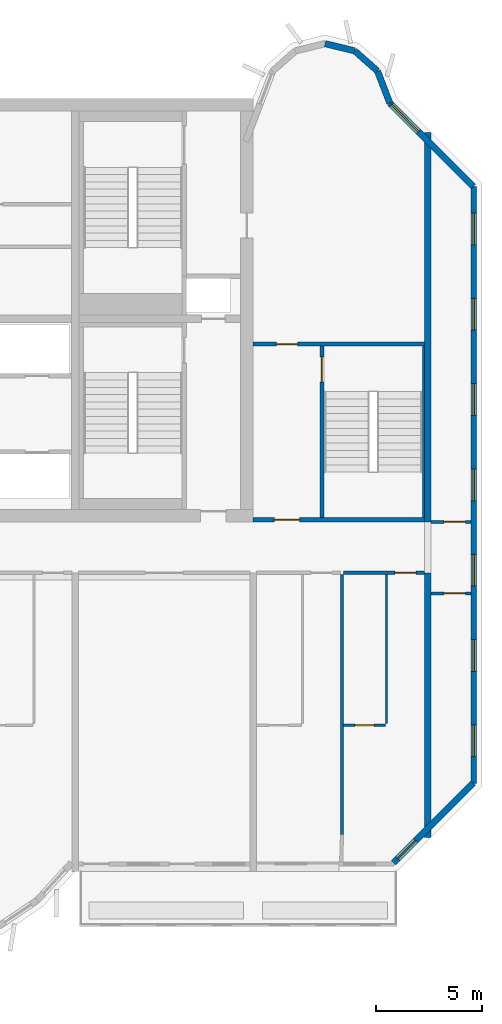
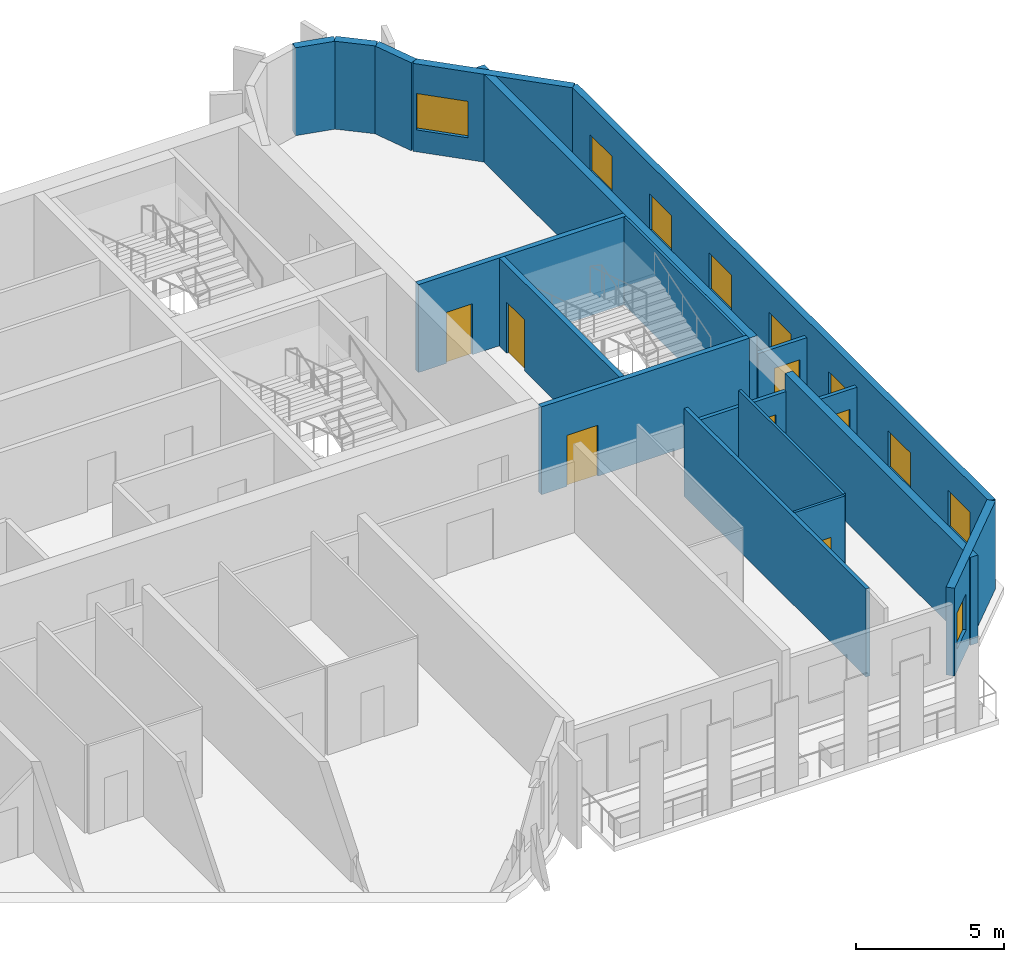
# One storey, part 8 of 11: 18 walls, 9 windows, 7 doors, 16 openings.
"""IFC4 building model written with IfcOpenShell, lengths in metres."""

from ifc_helpers import new_model, si_unit, direction, frame, frame_2d, origin, place, context, subcontext, project, spatial, rectangle, extrude, source, transform, mapped, material, layer, layer_set, type_object, element, fill, save


model = new_model("IFC4")

# Units and contexts
model_context = context("Model", 3, precision=1e-05, world=origin(), true_north=direction((0.0, 1.0)))
body_context = subcontext(model_context, "Body", "Model", "MODEL_VIEW")
ifc_project = project(units=[si_unit("LENGTHUNIT", "METRE"), si_unit("AREAUNIT", "SQUARE_METRE"), si_unit("VOLUMEUNIT", "CUBIC_METRE"), si_unit("PLANEANGLEUNIT", "RADIAN"), si_unit("MASSUNIT", "GRAM", prefix="KILO")], contexts=[model_context])

# Site, building, storey
site_placement = place(None, origin())
site = spatial("IfcSite", under=ifc_project, at=site_placement, CompositionType="ELEMENT")
building_placement = place(site_placement, origin())
building = spatial("IfcBuilding", under=site, at=building_placement, Name="Vanashikhar Sky Hotel", CompositionType="ELEMENT")
storey_placement = place(building_placement, frame((0.0, 0.0, 233.5)))
storey = spatial("IfcBuildingStorey", under=building, at=storey_placement, Name="L56", CompositionType="ELEMENT", Elevation=233.5)

# Walls
ifc_material_1 = material(Name="Concrete M60", Category="concrete")
ifc_layer_1 = layer(ifc_material_1, 0.300048828125)
ifc_layer_set_1 = layer_set([ifc_layer_1], Name="RC shear wall 300 Concrete M60")
wall_type_1 = type_object("IfcWallType", Name="RC shear wall 300 Concrete M60", PredefinedType="SHEAR", material=ifc_layer_set_1)
shared_shape_1 = source(origin(), body_context, "Body", "SweptSolid", [
    extrude(rectangle(XDim=12.5, YDim=0.300048828125, at=frame_2d((6.25, 0.0))), origin(), (0.0, 0.0, 1.0), 3.6201171875),
])
wall_1_placement = place(storey_placement, frame((83.85009765625, 7.10009765625, 0.0), z_axis=(0.0, 0.0, 1.0), x_axis=(0.0, 1.0, 0.0)))
element("IfcWall", 1, at=wall_1_placement, inside=storey, type_object=wall_type_1, Name="CW-L56-XW11-1", PredefinedType="SHEAR", context=body_context, shape_type="MappedRepresentation", body=[
    mapped(shared_shape_1, transform((0.0, 0.0, 0.0), scale=1.0)),
])
shared_shape_2 = source(origin(), body_context, "Body", "SweptSolid", [
    extrude(rectangle(XDim=18.39990234375, YDim=0.300048828125, at=frame_2d((9.199951171875, 0.0))), origin(), (0.0, 0.0, 1.0), 3.6201171875),
])
wall_2_placement = place(storey_placement, frame((83.85009765625, 22.0, 0.0), z_axis=(0.0, 0.0, 1.0), x_axis=(0.0, 1.0, 0.0)))
element("IfcWall", 2, at=wall_2_placement, inside=storey, type_object=wall_type_1, Name="CW-L56-XW11-2", PredefinedType="SHEAR", context=body_context, shape_type="MappedRepresentation", body=[
    mapped(shared_shape_2, transform((0.0, 0.0, 0.0), scale=1.0)),
])

# Wall, opening, window
ifc_material_2 = material(Name="Concrete M50", Category="concrete")
ifc_layer_2 = layer(ifc_material_2, 0.300048828125)
ifc_layer_set_2 = layer_set([ifc_layer_2], Name="Lobe wall 300")
wall_type_2 = type_object("IfcWallType", Name="Lobe wall 300", PredefinedType="SOLIDWALL", material=ifc_layer_set_2)
shared_shape_3 = source(origin(), body_context, "Body", "SweptSolid", [
    extrude(rectangle(XDim=5.32568359375, YDim=0.300048828125, at=frame_2d((2.662841796875, 0.0))), origin(), (0.0, 0.0, 1.0), 3.6201171875),
])
wall_3_placement = place(storey_placement, frame((82.234375, 5.89990234375, 0.0), z_axis=(0.0, 0.0, 1.0), x_axis=(0.707083859269, 0.707129702361, 0.0)))
wall_3 = element("IfcWall", 3, at=wall_3_placement, inside=storey, type_object=wall_type_2, Name="Corner wall", PredefinedType="SOLIDWALL", context=body_context, shape_type="MappedRepresentation", body=[
    mapped(shared_shape_3, transform((0.0, 0.0, 0.0), scale=1.0)),
])
shared_shape_4 = source(origin(), body_context, "Body", "SweptSolid", [
    extrude(rectangle(XDim=1.199951171875, YDim=1.5, at=frame_2d((0.60009765625, 0.75))), frame((0.0, 0.16015625, 0.0), z_axis=(0.0, -1.0, 0.0), x_axis=(1.0, 0.0, 0.0)), (0.0, 0.0, 1.0), 0.320068359375),
])
opening_1_placement = place(wall_3_placement, frame((0.29248046875, 0.0, 0.89990234375)))
opening_1 = element("IfcOpeningElement", 4, at=opening_1_placement, cuts=wall_3, Name="Opening WN-3", PredefinedType="OPENING", context=body_context, shape_type="MappedRepresentation", body=[
    mapped(shared_shape_4, transform((0.0, 0.0, 0.0), scale=1.0)),
])
ifc_material_3 = material(Name="Glass", Category="glass")
window_type_1 = type_object("IfcWindowType", Name="Corridor end window 1200 x 1500", PartitioningType="SINGLE_PANEL", PredefinedType="WINDOW", material=ifc_material_3)
shared_shape_5 = source(origin(), body_context, "Body", "SweptSolid", [
    extrude(rectangle(XDim=1.199951171875, YDim=1.5, at=frame_2d((0.60009765625, 0.75))), frame((0.0, 0.030029296875, 0.0), z_axis=(0.0, -1.0, 0.0), x_axis=(1.0, 0.0, 0.0)), (0.0, 0.0, 1.0), 0.06005859375),
])
window_1_placement = place(opening_1_placement, origin())
window_1 = element("IfcWindow", 5, at=window_1_placement, inside=storey, type_object=window_type_1, Name="Window WN-3", OverallHeight=1.5, OverallWidth=1.199951171875, PartitioningType="SINGLE_PANEL", PredefinedType="WINDOW", context=body_context, shape_type="MappedRepresentation", body=[
    mapped(shared_shape_5, transform((0.0, 0.0, 0.0), scale=1.0)),
])
fill(opening_1, window_1)

shared_shape_6 = source(origin(), body_context, "Body", "SweptSolid", [
    extrude(rectangle(XDim=5.576416015625, YDim=0.300048828125, at=frame_2d((2.7880859375, 0.0))), origin(), (0.0, 0.0, 1.0), 3.6201171875),
])
wall_4_placement = place(storey_placement, frame((86.0, 37.834228515625, 0.0), z_axis=(0.0, 0.0, 1.0), x_axis=(-0.707106781187, 0.707106781187, 0.0)))
wall_4 = element("IfcWall", 6, at=wall_4_placement, inside=storey, type_object=wall_type_2, Name="Corner wall", PredefinedType="SOLIDWALL", context=body_context, shape_type="MappedRepresentation", body=[
    mapped(shared_shape_6, transform((0.0, 0.0, 0.0), scale=1.0)),
])
shared_shape_7 = source(origin(), body_context, "Body", "SweptSolid", [
    extrude(rectangle(XDim=1.800048828125, YDim=1.5, at=frame_2d((0.89990234375, 0.75))), frame((0.0, 0.16015625, 0.0), z_axis=(0.0, -1.0, 0.0), x_axis=(1.0, 0.0, 0.0)), (0.0, 0.0, 1.0), 0.320068359375),
])
opening_2_placement = place(wall_4_placement, frame((3.658447265625, 0.0, 0.89990234375)))
opening_2 = element("IfcOpeningElement", 7, at=opening_2_placement, cuts=wall_4, Name="Opening WN-4", PredefinedType="OPENING", context=body_context, shape_type="MappedRepresentation", body=[
    mapped(shared_shape_7, transform((0.0, 0.0, 0.0), scale=1.0)),
])
window_type_2 = type_object("IfcWindowType", Name="Corner window 1800 x 1500", PartitioningType="SINGLE_PANEL", PredefinedType="WINDOW", material=ifc_material_3)
shared_shape_8 = source(origin(), body_context, "Body", "SweptSolid", [
    extrude(rectangle(XDim=1.800048828125, YDim=1.5, at=frame_2d((0.89990234375, 0.75))), frame((0.0, 0.030029296875, 0.0), z_axis=(0.0, -1.0, 0.0), x_axis=(1.0, 0.0, 0.0)), (0.0, 0.0, 1.0), 0.06005859375),
])
window_2_placement = place(opening_2_placement, origin())
window_2 = element("IfcWindow", 8, at=window_2_placement, inside=storey, type_object=window_type_2, Name="Window WN-4", OverallHeight=1.5, OverallWidth=1.800048828125, PartitioningType="SINGLE_PANEL", PredefinedType="WINDOW", context=body_context, shape_type="MappedRepresentation", body=[
    mapped(shared_shape_8, transform((0.0, 0.0, 0.0), scale=1.0)),
])
fill(opening_2, window_2)

# Walls
shared_shape_9 = source(origin(), body_context, "Body", "SweptSolid", [
    extrude(rectangle(XDim=1.6220703125, YDim=0.300048828125, at=frame_2d((0.81103515625, 0.0))), origin(), (0.0, 0.0, 1.0), 3.6201171875),
])
wall_5_placement = place(storey_placement, frame((82.056884765625, 41.77734375, 0.0), z_axis=(0.0, 0.0, 1.0), x_axis=(-0.357778527068, 0.933806471154, 0.0)))
element("IfcWall", 9, at=wall_5_placement, inside=storey, type_object=wall_type_2, Name="Lobe wall", PredefinedType="SOLIDWALL", context=body_context, shape_type="MappedRepresentation", body=[
    mapped(shared_shape_9, transform((0.0, 0.0, 0.0), scale=1.0)),
])
shared_shape_10 = source(origin(), body_context, "Body", "SweptSolid", [
    extrude(rectangle(XDim=1.43994140625, YDim=0.300048828125, at=frame_2d((0.719970703125, 0.0))), origin(), (0.0, 0.0, 1.0), 3.6201171875),
])
wall_6_placement = place(storey_placement, frame((81.4765625, 43.2919921875, 0.0), z_axis=(0.0, 0.0, 1.0), x_axis=(-0.74957555648, 0.661918790432, 0.0)))
element("IfcWall", 10, at=wall_6_placement, inside=storey, type_object=wall_type_2, Name="Lobe wall", PredefinedType="SOLIDWALL", context=body_context, shape_type="MappedRepresentation", body=[
    mapped(shared_shape_10, transform((0.0, 0.0, 0.0), scale=1.0)),
])
shared_shape_11 = source(origin(), body_context, "Body", "SweptSolid", [
    extrude(rectangle(XDim=1.438720703125, YDim=0.300048828125, at=frame_2d((0.71923828125, 0.0))), origin(), (0.0, 0.0, 1.0), 3.6201171875),
])
wall_7_placement = place(storey_placement, frame((80.397216796875, 44.2451171875, 0.0), z_axis=(0.0, 0.0, 1.0), x_axis=(-0.971161932466, 0.238420848351, 0.0)))
element("IfcWall", 11, at=wall_7_placement, inside=storey, type_object=wall_type_2, Name="Lobe wall", PredefinedType="SOLIDWALL", context=body_context, shape_type="MappedRepresentation", body=[
    mapped(shared_shape_11, transform((0.0, 0.0, 0.0), scale=1.0)),
])

# Wall, openings, windows
ifc_layer_3 = layer(ifc_material_2, 0.25)
ifc_layer_set_3 = layer_set([ifc_layer_3], Name="Rear and end board-marked wall 250")
wall_type_3 = type_object("IfcWallType", Name="Rear and end board-marked wall 250", PredefinedType="SOLIDWALL", material=ifc_layer_set_3)
shared_shape_12 = source(origin(), body_context, "Body", "SweptSolid", [
    extrude(rectangle(XDim=28.189453125, YDim=0.25, at=frame_2d((14.0947265625, 0.0))), origin(), (0.0, 0.0, 1.0), 3.6201171875),
])
wall_8_placement = place(storey_placement, frame((86.02490234375, 9.6552734375, 0.0), z_axis=(0.0, 0.0, 1.0), x_axis=(0.0, 1.0, 0.0)))
wall_8 = element("IfcWall", 12, at=wall_8_placement, inside=storey, type_object=wall_type_3, Name="End board-marked wall", PredefinedType="SOLIDWALL", context=body_context, shape_type="MappedRepresentation", body=[
    mapped(shared_shape_12, transform((0.0, 0.0, 0.0), scale=1.0)),
])
shared_shape_13 = source(origin(), body_context, "Body", "SweptSolid", [
    extrude(rectangle(XDim=1.5, YDim=1.5, at=frame_2d((0.75, 0.75))), frame((0.0, 0.135009765625, 0.0), z_axis=(0.0, -1.0, 0.0), x_axis=(1.0, 0.0, 0.0)), (0.0, 0.0, 1.0), 0.27001953125),
])
opening_3_placement = place(wall_8_placement, frame((1.263427734375, 0.0, 0.89990234375)))
opening_3 = element("IfcOpeningElement", 13, at=opening_3_placement, cuts=wall_8, Name="Opening WN-1", PredefinedType="OPENING", context=body_context, shape_type="MappedRepresentation", body=[
    mapped(shared_shape_13, transform((0.0, 0.0, 0.0), scale=1.0)),
])
opening_4_placement = place(wall_8_placement, frame((5.29052734375, 0.0, 0.89990234375)))
opening_4 = element("IfcOpeningElement", 14, at=opening_4_placement, cuts=wall_8, Name="Opening WN-1", PredefinedType="OPENING", context=body_context, shape_type="MappedRepresentation", body=[
    mapped(shared_shape_13, transform((0.0, 0.0, 0.0), scale=1.0)),
])
opening_5_placement = place(wall_8_placement, frame((9.317626953125, 0.0, 0.89990234375)))
opening_5 = element("IfcOpeningElement", 15, at=opening_5_placement, cuts=wall_8, Name="Opening WN-1", PredefinedType="OPENING", context=body_context, shape_type="MappedRepresentation", body=[
    mapped(shared_shape_13, transform((0.0, 0.0, 0.0), scale=1.0)),
])
opening_6_placement = place(wall_8_placement, frame((13.3447265625, 0.0, 0.89990234375)))
opening_6 = element("IfcOpeningElement", 16, at=opening_6_placement, cuts=wall_8, Name="Opening WN-1", PredefinedType="OPENING", context=body_context, shape_type="MappedRepresentation", body=[
    mapped(shared_shape_13, transform((0.0, 0.0, 0.0), scale=1.0)),
])
opening_7_placement = place(wall_8_placement, frame((17.371826171875, 0.0, 0.89990234375)))
opening_7 = element("IfcOpeningElement", 17, at=opening_7_placement, cuts=wall_8, Name="Opening WN-1", PredefinedType="OPENING", context=body_context, shape_type="MappedRepresentation", body=[
    mapped(shared_shape_13, transform((0.0, 0.0, 0.0), scale=1.0)),
])
opening_8_placement = place(wall_8_placement, frame((21.398681640625, 0.0, 0.89990234375)))
opening_8 = element("IfcOpeningElement", 18, at=opening_8_placement, cuts=wall_8, Name="Opening WN-1", PredefinedType="OPENING", context=body_context, shape_type="MappedRepresentation", body=[
    mapped(shared_shape_13, transform((0.0, 0.0, 0.0), scale=1.0)),
])
opening_9_placement = place(wall_8_placement, frame((25.42578125, 0.0, 0.89990234375)))
opening_9 = element("IfcOpeningElement", 19, at=opening_9_placement, cuts=wall_8, Name="Opening WN-1", PredefinedType="OPENING", context=body_context, shape_type="MappedRepresentation", body=[
    mapped(shared_shape_13, transform((0.0, 0.0, 0.0), scale=1.0)),
])
window_type_3 = type_object("IfcWindowType", Name="Window 1500 x 1500", PartitioningType="SINGLE_PANEL", PredefinedType="WINDOW", material=ifc_material_3)
shared_shape_14 = source(origin(), body_context, "Body", "SweptSolid", [
    extrude(rectangle(XDim=1.5, YDim=1.5, at=frame_2d((0.75, 0.75))), frame((0.0, 0.030029296875, 0.0), z_axis=(0.0, -1.0, 0.0), x_axis=(1.0, 0.0, 0.0)), (0.0, 0.0, 1.0), 0.06005859375),
])
window_3_placement = place(opening_3_placement, origin())
window_3 = element("IfcWindow", 20, at=window_3_placement, inside=storey, type_object=window_type_3, Name="Window WN-1", OverallHeight=1.5, OverallWidth=1.5, PartitioningType="SINGLE_PANEL", PredefinedType="WINDOW", context=body_context, shape_type="MappedRepresentation", body=[
    mapped(shared_shape_14, transform((0.0, 0.0, 0.0), scale=1.0)),
])
fill(opening_3, window_3)
window_4_placement = place(opening_4_placement, origin())
window_4 = element("IfcWindow", 21, at=window_4_placement, inside=storey, type_object=window_type_3, Name="Window WN-1", OverallHeight=1.5, OverallWidth=1.5, PartitioningType="SINGLE_PANEL", PredefinedType="WINDOW", context=body_context, shape_type="MappedRepresentation", body=[
    mapped(shared_shape_14, transform((0.0, 0.0, 0.0), scale=1.0)),
])
fill(opening_4, window_4)
window_5_placement = place(opening_5_placement, origin())
window_5 = element("IfcWindow", 22, at=window_5_placement, inside=storey, type_object=window_type_3, Name="Window WN-1", OverallHeight=1.5, OverallWidth=1.5, PartitioningType="SINGLE_PANEL", PredefinedType="WINDOW", context=body_context, shape_type="MappedRepresentation", body=[
    mapped(shared_shape_14, transform((0.0, 0.0, 0.0), scale=1.0)),
])
fill(opening_5, window_5)
window_6_placement = place(opening_6_placement, origin())
window_6 = element("IfcWindow", 23, at=window_6_placement, inside=storey, type_object=window_type_3, Name="Window WN-1", OverallHeight=1.5, OverallWidth=1.5, PartitioningType="SINGLE_PANEL", PredefinedType="WINDOW", context=body_context, shape_type="MappedRepresentation", body=[
    mapped(shared_shape_14, transform((0.0, 0.0, 0.0), scale=1.0)),
])
fill(opening_6, window_6)
window_7_placement = place(opening_7_placement, origin())
window_7 = element("IfcWindow", 24, at=window_7_placement, inside=storey, type_object=window_type_3, Name="Window WN-1", OverallHeight=1.5, OverallWidth=1.5, PartitioningType="SINGLE_PANEL", PredefinedType="WINDOW", context=body_context, shape_type="MappedRepresentation", body=[
    mapped(shared_shape_14, transform((0.0, 0.0, 0.0), scale=1.0)),
])
fill(opening_7, window_7)
window_8_placement = place(opening_8_placement, origin())
window_8 = element("IfcWindow", 25, at=window_8_placement, inside=storey, type_object=window_type_3, Name="Window WN-1", OverallHeight=1.5, OverallWidth=1.5, PartitioningType="SINGLE_PANEL", PredefinedType="WINDOW", context=body_context, shape_type="MappedRepresentation", body=[
    mapped(shared_shape_14, transform((0.0, 0.0, 0.0), scale=1.0)),
])
fill(opening_8, window_8)
window_9_placement = place(opening_9_placement, origin())
window_9 = element("IfcWindow", 26, at=window_9_placement, inside=storey, type_object=window_type_3, Name="Window WN-1", OverallHeight=1.5, OverallWidth=1.5, PartitioningType="SINGLE_PANEL", PredefinedType="WINDOW", context=body_context, shape_type="MappedRepresentation", body=[
    mapped(shared_shape_14, transform((0.0, 0.0, 0.0), scale=1.0)),
])
fill(opening_9, window_9)

# Wall, opening, door
ifc_layer_4 = layer(ifc_material_2, 0.199951171875)
ifc_layer_set_4 = layer_set([ifc_layer_4], Name="Stair wall 200")
wall_type_4 = type_object("IfcWallType", Name="Stair wall 200", PredefinedType="SOLIDWALL", material=ifc_layer_set_4)
shared_shape_15 = source(origin(), body_context, "Body", "SweptSolid", [
    extrude(rectangle(XDim=8.2998046875, YDim=0.199951171875, at=frame_2d((4.14990234375, 0.0))), origin(), (0.0, 0.0, 1.0), 3.6201171875),
])
wall_9_placement = place(storey_placement, frame((78.85009765625, 22.10009765625, 0.0), z_axis=(0.0, 0.0, 1.0), x_axis=(0.0, 1.0, 0.0)))
wall_9 = element("IfcWall", 27, at=wall_9_placement, inside=storey, type_object=wall_type_4, Name="Stair wall 200", PredefinedType="SOLIDWALL", context=body_context, shape_type="MappedRepresentation", body=[
    mapped(shared_shape_15, transform((0.0, 0.0, 0.0), scale=1.0)),
])
shared_shape_16 = source(origin(), body_context, "Body", "SweptSolid", [
    extrude(rectangle(XDim=1.199951171875, YDim=2.10009765625, at=frame_2d((0.60009765625, 1.050048828125))), frame((0.0, 0.10986328125, 0.0), z_axis=(0.0, -1.0, 0.0), x_axis=(1.0, 0.0, 0.0)), (0.0, 0.0, 1.0), 0.219970703125),
])
opening_10_placement = place(wall_9_placement, frame((6.5, 0.0, 0.0)))
opening_10 = element("IfcOpeningElement", 28, at=opening_10_placement, cuts=wall_9, Name="Opening DC-1", PredefinedType="OPENING", context=body_context, shape_type="MappedRepresentation", body=[
    mapped(shared_shape_16, transform((0.0, 0.0, 0.0), scale=1.0)),
])
ifc_material_4 = material(Name="Steel", Category="steel")
door_type_1 = type_object("IfcDoorType", Name="Stair door 1200 FD120", OperationType="NOTDEFINED", PredefinedType="DOOR", material=ifc_material_4)
shared_shape_17 = source(origin(), body_context, "Body", "SweptSolid", [
    extrude(rectangle(XDim=1.199951171875, YDim=2.10009765625, at=frame_2d((0.60009765625, 1.050048828125))), frame((0.0, 0.02490234375, 0.0), z_axis=(0.0, -1.0, 0.0), x_axis=(1.0, 0.0, 0.0)), (0.0, 0.0, 1.0), 0.050048828125),
])
door_1_placement = place(opening_10_placement, origin())
door_1 = element("IfcDoor", 29, at=door_1_placement, inside=storey, type_object=door_type_1, Name="Stair door 1200 FD120", OperationType="SINGLE_SWING_LEFT", OverallHeight=2.10009765625, OverallWidth=1.199951171875, PredefinedType="DOOR", context=body_context, shape_type="MappedRepresentation", body=[
    mapped(shared_shape_17, transform((0.0, 0.0, 0.0), scale=1.0)),
])
fill(opening_10, door_1)

shared_shape_18 = source(origin(), body_context, "Body", "SweptSolid", [
    extrude(rectangle(XDim=8.099853515625, YDim=0.199951171875, at=frame_2d((4.0498046875, 0.0))), origin(), (0.0, 0.0, 1.0), 3.6201171875),
])
wall_10_placement = place(storey_placement, frame((83.699951171875, 22.10009765625, 0.0), z_axis=(0.0, 0.0, 1.0), x_axis=(-1.0, 0.0, 0.0)))
wall_10 = element("IfcWall", 30, at=wall_10_placement, inside=storey, type_object=wall_type_4, Name="Stair wall 200", PredefinedType="SOLIDWALL", context=body_context, shape_type="MappedRepresentation", body=[
    mapped(shared_shape_18, transform((0.0, 0.0, 0.0), scale=1.0)),
])
opening_11_placement = place(wall_10_placement, frame((5.89990234375, 0.0, 0.0)))
opening_11 = element("IfcOpeningElement", 31, at=opening_11_placement, cuts=wall_10, Name="Opening DC-2", PredefinedType="OPENING", context=body_context, shape_type="MappedRepresentation", body=[
    mapped(shared_shape_16, transform((0.0, 0.0, 0.0), scale=1.0)),
])
door_type_2 = type_object("IfcDoorType", Name="Firefighting lobby door 1200 FD120", OperationType="NOTDEFINED", PredefinedType="DOOR", material=ifc_material_4)
door_2_placement = place(opening_11_placement, origin())
door_2 = element("IfcDoor", 32, at=door_2_placement, inside=storey, type_object=door_type_2, Name="Firefighting lobby door 1200 FD120", OperationType="SINGLE_SWING_LEFT", OverallHeight=2.10009765625, OverallWidth=1.199951171875, PredefinedType="DOOR", context=body_context, shape_type="MappedRepresentation", body=[
    mapped(shared_shape_17, transform((0.0, 0.0, 0.0), scale=1.0)),
])
fill(opening_11, door_2)

wall_11_placement = place(storey_placement, frame((83.699951171875, 30.39990234375, 0.0), z_axis=(0.0, 0.0, 1.0), x_axis=(-1.0, 0.0, 0.0)))
wall_11 = element("IfcWall", 33, at=wall_11_placement, inside=storey, type_object=wall_type_4, Name="Stair wall 200", PredefinedType="SOLIDWALL", context=body_context, shape_type="MappedRepresentation", body=[
    mapped(shared_shape_18, transform((0.0, 0.0, 0.0), scale=1.0)),
])
shared_shape_19 = source(origin(), body_context, "Body", "SweptSolid", [
    extrude(rectangle(XDim=1.0, YDim=2.10009765625, at=frame_2d((0.5, 1.050048828125))), frame((0.0, 0.10986328125, 0.0), z_axis=(0.0, -1.0, 0.0), x_axis=(1.0, 0.0, 0.0)), (0.0, 0.0, 1.0), 0.219970703125),
])
opening_12_placement = place(wall_11_placement, frame((6.0, 0.0, 0.0)))
opening_12 = element("IfcOpeningElement", 34, at=opening_12_placement, cuts=wall_11, Name="Opening DC-6", PredefinedType="OPENING", context=body_context, shape_type="MappedRepresentation", body=[
    mapped(shared_shape_19, transform((0.0, 0.0, 0.0), scale=1.0)),
])
door_type_3 = type_object("IfcDoorType", Name="Pocket door 1000 FD60", OperationType="NOTDEFINED", PredefinedType="DOOR", material=ifc_material_4)
shared_shape_20 = source(origin(), body_context, "Body", "SweptSolid", [
    extrude(rectangle(XDim=1.0, YDim=2.10009765625, at=frame_2d((0.5, 1.050048828125))), frame((0.0, 0.02490234375, 0.0), z_axis=(0.0, -1.0, 0.0), x_axis=(1.0, 0.0, 0.0)), (0.0, 0.0, 1.0), 0.050048828125),
])
door_3_placement = place(opening_12_placement, origin())
door_3 = element("IfcDoor", 35, at=door_3_placement, inside=storey, type_object=door_type_3, Name="Pocket door 1000 FD60", OperationType="SINGLE_SWING_LEFT", OverallHeight=2.10009765625, OverallWidth=1.0, PredefinedType="DOOR", context=body_context, shape_type="MappedRepresentation", body=[
    mapped(shared_shape_20, transform((0.0, 0.0, 0.0), scale=1.0)),
])
fill(opening_12, door_3)

# Walls
ifc_layer_5 = layer(ifc_material_2, 0.10009765625)
ifc_layer_set_5 = layer_set([ifc_layer_5], Name="Stair infill wall 100")
wall_type_5 = type_object("IfcWallType", Name="Stair infill wall 100", PredefinedType="SOLIDWALL", material=ifc_layer_set_5)
shared_shape_21 = source(origin(), body_context, "Body", "SweptSolid", [
    extrude(rectangle(XDim=8.10009765625, YDim=0.10009765625, at=frame_2d((4.050048828125, 0.0))), origin(), (0.0, 0.0, 1.0), 3.6201171875),
])
wall_12_placement = place(storey_placement, frame((83.64990234375, 22.199951171875, 0.0), z_axis=(0.0, 0.0, 1.0), x_axis=(0.0, 1.0, 0.0)))
element("IfcWall", 36, at=wall_12_placement, inside=storey, type_object=wall_type_5, Name="Stair infill wall 100", PredefinedType="SOLIDWALL", context=body_context, shape_type="MappedRepresentation", body=[
    mapped(shared_shape_21, transform((0.0, 0.0, 0.0), scale=1.0)),
])
ifc_material_5 = material(Name="Gypsum plasterboard partition")
ifc_layer_6 = layer(ifc_material_5, 0.10009765625)
ifc_layer_set_6 = layer_set([ifc_layer_6], Name="Wet room partition 100")
wall_type_6 = type_object("IfcWallType", Name="Wet room partition 100", PredefinedType="PARTITIONING", material=ifc_layer_set_6)
shared_shape_22 = source(origin(), body_context, "Body", "SweptSolid", [
    extrude(rectangle(XDim=7.0498046875, YDim=0.10009765625, at=frame_2d((3.52490234375, 0.0))), origin(), (0.0, 0.0, 1.0), 3.6201171875),
])
wall_13_placement = place(storey_placement, frame((81.89990234375, 12.47509765625, 0.0), z_axis=(0.0, 0.0, 1.0), x_axis=(0.0, 1.0, 0.0)))
element("IfcWall", 37, at=wall_13_placement, inside=storey, type_object=wall_type_6, Name="W-L56-PW043", PredefinedType="PARTITIONING", context=body_context, shape_type="MappedRepresentation", body=[
    mapped(shared_shape_22, transform((0.0, 0.0, 0.0), scale=1.0)),
])

# Wall, opening, door
shared_shape_23 = source(origin(), body_context, "Body", "SweptSolid", [
    extrude(rectangle(XDim=1.97509765625, YDim=0.10009765625, at=frame_2d((0.987548828125, 0.0))), origin(), (0.0, 0.0, 1.0), 3.6201171875),
])
wall_14_placement = place(storey_placement, frame((79.875, 12.39990234375, 0.0), z_axis=(0.0, 0.0, 1.0), x_axis=(1.0, 0.0, 0.0)))
wall_14 = element("IfcWall", 38, at=wall_14_placement, inside=storey, type_object=wall_type_6, Name="W-L56-PW044", PredefinedType="PARTITIONING", context=body_context, shape_type="MappedRepresentation", body=[
    mapped(shared_shape_23, transform((0.0, 0.0, 0.0), scale=1.0)),
])
shared_shape_24 = source(origin(), body_context, "Body", "SweptSolid", [
    extrude(rectangle(XDim=0.89990234375, YDim=2.10009765625, at=frame_2d((0.449951171875, 1.050048828125))), frame((0.0, 0.06005859375, 0.0), z_axis=(0.0, -1.0, 0.0), x_axis=(1.0, 0.0, 0.0)), (0.0, 0.0, 1.0), 0.1201171875),
])
opening_13_placement = place(wall_14_placement, frame((0.5380859375, 0.0, 0.0)))
opening_13 = element("IfcOpeningElement", 39, at=opening_13_placement, cuts=wall_14, Name="Opening D-02", PredefinedType="OPENING", context=body_context, shape_type="MappedRepresentation", body=[
    mapped(shared_shape_24, transform((0.0, 0.0, 0.0), scale=1.0)),
])
ifc_material_6 = material(Name="Timber door", Category="wood")
door_type_4 = type_object("IfcDoorType", Name="Internal door 900", OperationType="NOTDEFINED", PredefinedType="DOOR", material=ifc_material_6)
shared_shape_25 = source(origin(), body_context, "Body", "SweptSolid", [
    extrude(rectangle(XDim=0.89990234375, YDim=2.10009765625, at=frame_2d((0.449951171875, 1.050048828125))), frame((0.0, 0.02490234375, 0.0), z_axis=(0.0, -1.0, 0.0), x_axis=(1.0, 0.0, 0.0)), (0.0, 0.0, 1.0), 0.050048828125),
])
door_4_placement = place(opening_13_placement, origin())
door_4 = element("IfcDoor", 40, at=door_4_placement, inside=storey, type_object=door_type_4, Name="D-L56-026", OperationType="SINGLE_SWING_RIGHT", OverallHeight=2.10009765625, OverallWidth=0.89990234375, PredefinedType="DOOR", context=body_context, shape_type="MappedRepresentation", body=[
    mapped(shared_shape_25, transform((0.0, 0.0, 0.0), scale=1.0)),
])
fill(opening_13, door_4)

ifc_layer_7 = layer(ifc_material_5, 0.14990234375)
ifc_layer_set_7 = layer_set([ifc_layer_7], Name="Corridor and demising partition 150")
wall_type_7 = type_object("IfcWallType", Name="Corridor and demising partition 150", PredefinedType="PARTITIONING", material=ifc_layer_set_7)
shared_shape_26 = source(origin(), body_context, "Body", "SweptSolid", [
    extrude(rectangle(XDim=3.824951171875, YDim=0.14990234375, at=frame_2d((1.91259765625, 0.0))), origin(), (0.0, 0.0, 1.0), 2.919921875),
])
wall_15_placement = place(storey_placement, frame((79.875, 19.60009765625, 0.0), z_axis=(0.0, 0.0, 1.0), x_axis=(1.0, 0.0, 0.0)))
wall_15 = element("IfcWall", 41, at=wall_15_placement, inside=storey, type_object=wall_type_7, Name="W-L56-PW045", PredefinedType="PARTITIONING", context=body_context, shape_type="MappedRepresentation", body=[
    mapped(shared_shape_26, transform((0.0, 0.0, 0.0), scale=1.0)),
])
shared_shape_27 = source(origin(), body_context, "Body", "SweptSolid", [
    extrude(rectangle(XDim=1.0, YDim=2.10009765625, at=frame_2d((0.5, 1.050048828125))), frame((0.0, 0.0849609375, 0.0), z_axis=(0.0, -1.0, 0.0), x_axis=(1.0, 0.0, 0.0)), (0.0, 0.0, 1.0), 0.169921875),
])
opening_14_placement = place(wall_15_placement, frame((2.425048828125, 0.0, 0.0)))
opening_14 = element("IfcOpeningElement", 42, at=opening_14_placement, cuts=wall_15, Name="Opening D-01", PredefinedType="OPENING", context=body_context, shape_type="MappedRepresentation", body=[
    mapped(shared_shape_27, transform((0.0, 0.0, 0.0), scale=1.0)),
])
ifc_material_7 = material(Name="Timber fire door", Category="wood")
door_type_5 = type_object("IfcDoorType", Name="Guest entry door 1000 FD30S", OperationType="NOTDEFINED", PredefinedType="DOOR", material=ifc_material_7)
door_5_placement = place(opening_14_placement, origin())
door_5 = element("IfcDoor", 43, at=door_5_placement, inside=storey, type_object=door_type_5, Name="D-L56-027", OperationType="SINGLE_SWING_RIGHT", OverallHeight=2.10009765625, OverallWidth=1.0, PredefinedType="DOOR", context=body_context, shape_type="MappedRepresentation", body=[
    mapped(shared_shape_20, transform((0.0, 0.0, 0.0), scale=1.0)),
])
fill(opening_14, door_5)

# Wall
shared_shape_28 = source(origin(), body_context, "Body", "SweptSolid", [
    extrude(rectangle(XDim=12.27490234375, YDim=0.14990234375, at=frame_2d((6.137451171875, 0.0))), origin(), (0.0, 0.0, 1.0), 3.6201171875),
])
wall_16_placement = place(storey_placement, frame((79.800048828125, 7.25, 0.0), z_axis=(0.0, 0.0, 1.0), x_axis=(0.0, 1.0, 0.0)))
element("IfcWall", 44, at=wall_16_placement, inside=storey, type_object=wall_type_7, Name="W-L56-PW046", PredefinedType="PARTITIONING", context=body_context, shape_type="MappedRepresentation", body=[
    mapped(shared_shape_28, transform((0.0, 0.0, 0.0), scale=1.0)),
])

# Wall, opening, door
shared_shape_29 = source(origin(), body_context, "Body", "SweptSolid", [
    extrude(rectangle(XDim=1.89990234375, YDim=0.14990234375, at=frame_2d((0.949951171875, 0.0))), origin(), (0.0, 0.0, 1.0), 2.919921875),
])
wall_17_placement = place(storey_placement, frame((84.0, 22.0, 0.0), z_axis=(0.0, 0.0, 1.0), x_axis=(1.0, 0.0, 0.0)))
wall_17 = element("IfcWall", 45, at=wall_17_placement, inside=storey, type_object=wall_type_7, Name="W-L56-PW050", PredefinedType="PARTITIONING", context=body_context, shape_type="MappedRepresentation", body=[
    mapped(shared_shape_29, transform((0.0, 0.0, 0.0), scale=1.0)),
])
opening_15_placement = place(wall_17_placement, frame((0.625, 0.0, 0.0)))
opening_15 = element("IfcOpeningElement", 46, at=opening_15_placement, cuts=wall_17, Name="Opening D-01", PredefinedType="OPENING", context=body_context, shape_type="MappedRepresentation", body=[
    mapped(shared_shape_27, transform((0.0, 0.0, 0.0), scale=1.0)),
])
door_6_placement = place(opening_15_placement, origin())
door_6 = element("IfcDoor", 47, at=door_6_placement, inside=storey, type_object=door_type_5, Name="D-L56-029", OperationType="SINGLE_SWING_RIGHT", OverallHeight=2.10009765625, OverallWidth=1.0, PredefinedType="DOOR", context=body_context, shape_type="MappedRepresentation", body=[
    mapped(shared_shape_20, transform((0.0, 0.0, 0.0), scale=1.0)),
])
fill(opening_15, door_6)

wall_18_placement = place(storey_placement, frame((84.0, 18.6279296875, 0.0), z_axis=(0.0, 0.0, 1.0), x_axis=(1.0, 0.0, 0.0)))
wall_18 = element("IfcWall", 48, at=wall_18_placement, inside=storey, type_object=wall_type_7, Name="W-L56-PW052", PredefinedType="PARTITIONING", context=body_context, shape_type="MappedRepresentation", body=[
    mapped(shared_shape_29, transform((0.0, 0.0, 0.0), scale=1.0)),
])
opening_16_placement = place(wall_18_placement, frame((0.625, 0.0, 0.0)))
opening_16 = element("IfcOpeningElement", 49, at=opening_16_placement, cuts=wall_18, Name="Opening D-01", PredefinedType="OPENING", context=body_context, shape_type="MappedRepresentation", body=[
    mapped(shared_shape_27, transform((0.0, 0.0, 0.0), scale=1.0)),
])
door_7_placement = place(opening_16_placement, origin())
door_7 = element("IfcDoor", 50, at=door_7_placement, inside=storey, type_object=door_type_5, Name="D-L56-031", OperationType="SINGLE_SWING_RIGHT", OverallHeight=2.10009765625, OverallWidth=1.0, PredefinedType="DOOR", context=body_context, shape_type="MappedRepresentation", body=[
    mapped(shared_shape_20, transform((0.0, 0.0, 0.0), scale=1.0)),
])
fill(opening_16, door_7)

save(model, "model.ifc")
